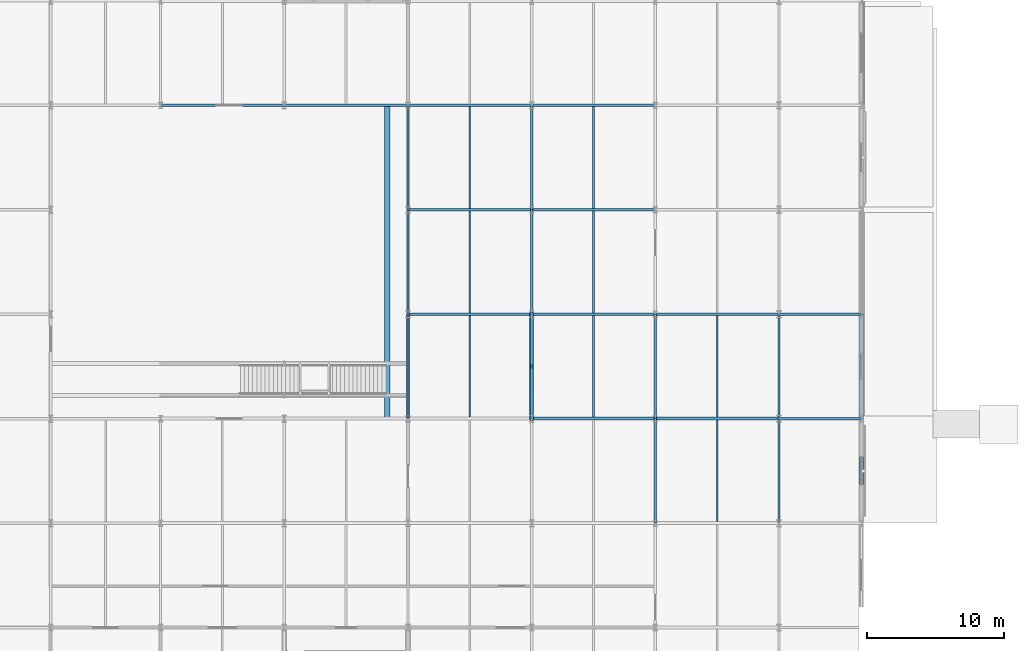
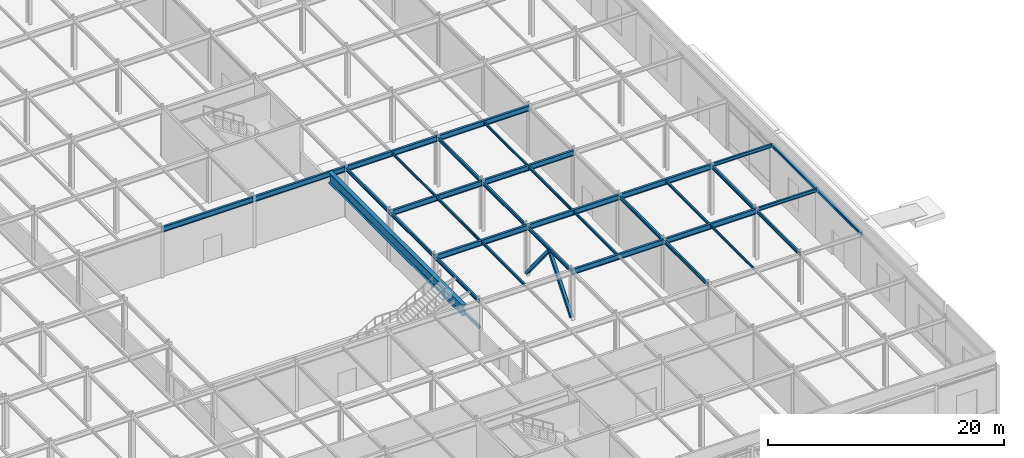
# One storey, part 47 of 89: 35 beams, 2 members.
"""IFC4 building model written with IfcOpenShell, lengths in metres."""

from ifc_helpers import new_model, si_unit, direction, frame, origin, origin_2d, place, context, subcontext, project, spatial, hollow_rectangle, i_section, extrude, material, material_profile, profile_set, type_object, element, save


model = new_model("IFC4")

# Units and contexts
model_context = context("Model", 3, precision=1e-05, world=origin(), true_north=direction((0.0, 1.0)))
body_context = subcontext(model_context, "Body", "Model", "MODEL_VIEW")
ifc_project = project(units=[si_unit("LENGTHUNIT", "METRE"), si_unit("AREAUNIT", "SQUARE_METRE"), si_unit("VOLUMEUNIT", "CUBIC_METRE"), si_unit("PLANEANGLEUNIT", "RADIAN"), si_unit("MASSUNIT", "GRAM", prefix="KILO")], contexts=[model_context])

# Site, building, storey
site_placement = place(None, origin())
site = spatial("IfcSite", under=ifc_project, at=site_placement, CompositionType="ELEMENT")
building_placement = place(site_placement, origin())
building = spatial("IfcBuilding", under=site, at=building_placement, Name="Shalkamar Park Central Library", CompositionType="ELEMENT")
storey_placement = place(building_placement, origin())
storey = spatial("IfcBuildingStorey", under=building, at=storey_placement, Name="L01", CompositionType="ELEMENT", Elevation=0.0)

# Beams
ifc_material = material(Name="Steel S355", Category="steel")
ifc_material_profile_1 = material_profile(ifc_material, i_section(OverallWidth=0.39990234375, OverallDepth=1.10009765625, WebThickness=0.01806640625, FlangeThickness=0.031982421875, FilletRadius=0.02001953125, at=origin_2d()), Name="PG 1100x400")
ifc_profile_set_1 = profile_set([ifc_material_profile_1], Name="Steel S355")
beam_type_1 = type_object("IfcBeamType", Name="Atrium Gallery Girder PG1100", PredefinedType="BEAM", material=ifc_profile_set_1)
beam_1_placement = place(storey_placement, frame((253.5, 270.39990234375, 4.590087890625), z_axis=(0.0, 1.0, 0.0), x_axis=(-1.0, 0.0, 0.0)))
element("IfcBeam", 1, at=beam_1_placement, inside=storey, type_object=beam_type_1, Name="Atrium Stair ST-A1 Arrival Trimmer", PredefinedType="BEAM", context=body_context, shape_type="SweptSolid", body=[
    extrude(i_section(OverallWidth=0.39990234375, OverallDepth=1.10009765625, WebThickness=0.01806640625, FlangeThickness=0.031982421875, FilletRadius=0.02001953125, at=origin_2d()), origin(), (0.0, 0.0, 1.0), 22.800048828125),
])
ifc_material_profile_2 = material_profile(ifc_material, i_section(OverallWidth=0.1201171875, OverallDepth=0.239990234375, WebThickness=0.006103515625, FlangeThickness=0.009765625, FilletRadius=0.014892578125, at=origin_2d()), Name="IPE 240")
ifc_profile_set_2 = profile_set([ifc_material_profile_2], Name="Steel S355")
beam_type_2 = type_object("IfcBeamType", Name="Composite Floor Joist IPE240", PredefinedType="JOIST", material=ifc_profile_set_2)
for number, where, z_axis, x_axis, name in (
    (2, (259.5, 285.702880859375, 5.02001953125), (0.0, 1.0, 0.0), (-1.0, 0.0, 0.0), "Composite Joist 18/G-1 (L01)"),
    (3, (268.5, 285.702880859375, 5.02001953125), (0.0, 1.0, 0.0), (-1.0, 0.0, 0.0), "Composite Joist 19/G-1 (L01)"),
    (4, (277.5, 262.903076171875, 5.030029296875), (0.0, 1.0, 0.0), (-1.0, 0.0, 0.0), "Composite Joist 20/D-1 (L01)"),
):
    element("IfcBeam", number, at=place(storey_placement, frame(where, z_axis=z_axis, x_axis=x_axis)), inside=storey, type_object=beam_type_2, Name=name, PredefinedType="JOIST", context=body_context, shape_type="SweptSolid", body=[
        extrude(i_section(OverallWidth=0.1201171875, OverallDepth=0.239990234375, WebThickness=0.006103515625, FlangeThickness=0.009765625, FilletRadius=0.014892578125, at=origin_2d()), origin(), (0.0, 0.0, 1.0), 7.39404296875),
    ])
ifc_material_profile_3 = material_profile(ifc_material, i_section(OverallWidth=0.135009765625, OverallDepth=0.27001953125, WebThickness=0.006591796875, FlangeThickness=0.01025390625, FilletRadius=0.014892578125, at=origin_2d()), Name="IPE 270")
ifc_profile_set_3 = profile_set([ifc_material_profile_3], Name="Steel S355")
beam_type_3 = type_object("IfcBeamType", Name="Composite Floor Joist IPE270", PredefinedType="JOIST", material=ifc_profile_set_3)
for number, where, z_axis, x_axis, name in (
    (5, (259.5, 270.5029296875, 5.0048828125), (0.0, 1.0, 0.0), (-1.0, 0.0, 0.0), "Composite Joist 18/E-1 (L01)"),
    (6, (259.5, 278.10302734375, 5.0048828125), (0.0, 1.0, 0.0), (-1.0, 0.0, 0.0), "Composite Joist 18/F-1 (L01)"),
    (7, (268.5, 270.5029296875, 5.0048828125), (0.0, 1.0, 0.0), (-1.0, 0.0, 0.0), "Composite Joist 19/E-1 (L01)"),
    (8, (268.5, 278.10302734375, 5.0048828125), (0.0, 1.0, 0.0), (-1.0, 0.0, 0.0), "Composite Joist 19/F-1 (L01)"),
    (9, (277.5, 270.5029296875, 5.014892578125), (0.0, 1.0, 0.0), (-1.0, 0.0, 0.0), "Composite Joist 20/E-1 (L01)"),
):
    element("IfcBeam", number, at=place(storey_placement, frame(where, z_axis=z_axis, x_axis=x_axis)), inside=storey, type_object=beam_type_3, Name=name, PredefinedType="JOIST", context=body_context, shape_type="SweptSolid", body=[
        extrude(i_section(OverallWidth=0.135009765625, OverallDepth=0.27001953125, WebThickness=0.006591796875, FlangeThickness=0.01025390625, FilletRadius=0.014892578125, at=origin_2d()), origin(), (0.0, 0.0, 1.0), 7.39404296875),
    ])

# Members
ifc_material_profile_4 = material_profile(ifc_material, hollow_rectangle(XDim=0.300048828125, YDim=0.300048828125, WallThickness=0.01611328125, InnerFilletRadius=0.01611328125, OuterFilletRadius=0.02392578125, at=origin_2d()), Name="SHS 300x300x16")
ifc_profile_set_4 = profile_set([ifc_material_profile_4], Name="Steel S355")
member_type = type_object("IfcMemberType", Name="Diagonal Brace SHS300", PredefinedType="BRACE", material=ifc_profile_set_4)
for number, where, z_axis, x_axis, name in (
    (10, (264.0, 270.39990234375, 0.14990234375), (0.0, 0.62952162091, 0.776982965583), (-1.0, 0.0, 0.0), "Chevron Brace PD-E Leg A (L01)"),
    (11, (264.0, 278.0, 0.14990234375), (0.0, -0.62952162091, 0.776982965583), (1.0, 0.0, 0.0), "Chevron Brace PD-E Leg B (L01)"),
):
    element("IfcMember", number, at=place(storey_placement, frame(where, z_axis=z_axis, x_axis=x_axis)), inside=storey, type_object=member_type, Name=name, PredefinedType="BRACE", context=body_context, shape_type="SweptSolid", body=[
        extrude(hollow_rectangle(XDim=0.300048828125, YDim=0.300048828125, WallThickness=0.01611328125, InnerFilletRadius=0.01611328125, OuterFilletRadius=0.02392578125, at=origin_2d()), origin(), (0.0, 0.0, 1.0), 6.036376953125),
    ])

# Beams
ifc_material_profile_5 = material_profile(ifc_material, i_section(OverallWidth=0.280029296875, OverallDepth=0.27001953125, WebThickness=0.008056640625, FlangeThickness=0.012939453125, FilletRadius=0.02392578125, at=origin_2d()), Name="HEA 280")
ifc_profile_set_5 = profile_set([ifc_material_profile_5], Name="Steel S355")
beam_type_4 = type_object("IfcBeamType", Name="Perimeter Spandrel Beam HEA280", PredefinedType="SPANDREL", material=ifc_profile_set_5)
beam_2_placement = place(storey_placement, frame((288.0, 262.800048828125, 5.014892578125), z_axis=(0.0, 1.0, 0.0), x_axis=(-1.0, 0.0, 0.0)))
element("IfcBeam", 12, at=beam_2_placement, inside=storey, type_object=beam_type_4, Name="Beam 22:D-E (L01)", PredefinedType="SPANDREL", context=body_context, shape_type="SweptSolid", body=[
    extrude(i_section(OverallWidth=0.280029296875, OverallDepth=0.27001953125, WebThickness=0.008056640625, FlangeThickness=0.012939453125, FilletRadius=0.02392578125, at=origin_2d()), origin(), (0.0, 0.0, 1.0), 7.599853515625),
])
beam_3_placement = place(storey_placement, frame((288.0, 270.39990234375, 5.014892578125), z_axis=(0.0, 1.0, 0.0), x_axis=(-1.0, 0.0, 0.0)))
element("IfcBeam", 13, at=beam_3_placement, inside=storey, type_object=beam_type_4, Name="Beam 22:E-F (L01)", PredefinedType="SPANDREL", context=body_context, shape_type="SweptSolid", body=[
    extrude(i_section(OverallWidth=0.280029296875, OverallDepth=0.27001953125, WebThickness=0.008056640625, FlangeThickness=0.012939453125, FilletRadius=0.02392578125, at=origin_2d()), origin(), (0.0, 0.0, 1.0), 7.60009765625),
])
ifc_material_profile_6 = material_profile(ifc_material, i_section(OverallWidth=0.169921875, OverallDepth=0.360107421875, WebThickness=0.008056640625, FlangeThickness=0.0126953125, FilletRadius=0.01806640625, at=origin_2d()), Name="IPE 360")
ifc_profile_set_6 = profile_set([ifc_material_profile_6], Name="Steel S355")
beam_type_5 = type_object("IfcBeamType", Name="Primary Girder IPE360", PredefinedType="BEAM", material=ifc_profile_set_6)
for number, where, z_axis, x_axis, name in (
    (14, (282.0, 270.39990234375, 4.969970703125), (1.0, 0.0, 0.0), (0.0, 1.0, 0.0), "Beam E:21-22 (L01)"),
    (15, (282.0, 278.0, 4.969970703125), (1.0, 0.0, 0.0), (0.0, 1.0, 0.0), "Beam F:21-22 (L01)"),
):
    element("IfcBeam", number, at=place(storey_placement, frame(where, z_axis=z_axis, x_axis=x_axis)), inside=storey, type_object=beam_type_5, Name=name, PredefinedType="BEAM", context=body_context, shape_type="SweptSolid", body=[
        extrude(i_section(OverallWidth=0.169921875, OverallDepth=0.360107421875, WebThickness=0.008056640625, FlangeThickness=0.0126953125, FilletRadius=0.01806640625, at=origin_2d()), origin(), (0.0, 0.0, 1.0), 6.0),
    ])
for number, where, z_axis, x_axis, name in (
    (16, (255.0, 270.39990234375, 4.9599609375), (0.0, 1.0, 0.0), (-1.0, 0.0, 0.0), "Beam 18:E-F (L01)"),
    (17, (255.0, 278.0, 4.9599609375), (0.0, 1.0, 0.0), (-1.0, 0.0, 0.0), "Beam 18:F-G (L01)"),
):
    element("IfcBeam", number, at=place(storey_placement, frame(where, z_axis=z_axis, x_axis=x_axis)), inside=storey, type_object=beam_type_5, Name=name, PredefinedType="BEAM", context=body_context, shape_type="SweptSolid", body=[
        extrude(i_section(OverallWidth=0.169921875, OverallDepth=0.360107421875, WebThickness=0.008056640625, FlangeThickness=0.0126953125, FilletRadius=0.01806640625, at=origin_2d()), origin(), (0.0, 0.0, 1.0), 7.60009765625),
    ])
beam_4_placement = place(storey_placement, frame((255.0, 285.60009765625, 4.9599609375), z_axis=(0.0, 1.0, 0.0), x_axis=(-1.0, 0.0, 0.0)))
element("IfcBeam", 18, at=beam_4_placement, inside=storey, type_object=beam_type_5, Name="Beam 18:G-H (L01)", PredefinedType="BEAM", context=body_context, shape_type="SweptSolid", body=[
    extrude(i_section(OverallWidth=0.169921875, OverallDepth=0.360107421875, WebThickness=0.008056640625, FlangeThickness=0.0126953125, FilletRadius=0.01806640625, at=origin_2d()), origin(), (0.0, 0.0, 1.0), 7.599853515625),
])
for number, where, z_axis, x_axis, name in (
    (19, (264.0, 270.39990234375, 4.9599609375), (0.0, 1.0, 0.0), (-1.0, 0.0, 0.0), "Beam 19:E-F (L01)"),
    (20, (264.0, 278.0, 4.9599609375), (0.0, 1.0, 0.0), (-1.0, 0.0, 0.0), "Beam 19:F-G (L01)"),
):
    element("IfcBeam", number, at=place(storey_placement, frame(where, z_axis=z_axis, x_axis=x_axis)), inside=storey, type_object=beam_type_5, Name=name, PredefinedType="BEAM", context=body_context, shape_type="SweptSolid", body=[
        extrude(i_section(OverallWidth=0.169921875, OverallDepth=0.360107421875, WebThickness=0.008056640625, FlangeThickness=0.0126953125, FilletRadius=0.01806640625, at=origin_2d()), origin(), (0.0, 0.0, 1.0), 7.60009765625),
    ])
for number, where, z_axis, x_axis, name in (
    (21, (264.0, 285.60009765625, 4.9599609375), (0.0, 1.0, 0.0), (-1.0, 0.0, 0.0), "Beam 19:G-H (L01)"),
    (22, (273.0, 262.800048828125, 4.9599609375), (0.0, 1.0, 0.0), (-1.0, 0.0, 0.0), "Beam 20:D-E (L01)"),
):
    element("IfcBeam", number, at=place(storey_placement, frame(where, z_axis=z_axis, x_axis=x_axis)), inside=storey, type_object=beam_type_5, Name=name, PredefinedType="BEAM", context=body_context, shape_type="SweptSolid", body=[
        extrude(i_section(OverallWidth=0.169921875, OverallDepth=0.360107421875, WebThickness=0.008056640625, FlangeThickness=0.0126953125, FilletRadius=0.01806640625, at=origin_2d()), origin(), (0.0, 0.0, 1.0), 7.599853515625),
    ])
beam_5_placement = place(storey_placement, frame((273.0, 270.39990234375, 4.9599609375), z_axis=(0.0, 1.0, 0.0), x_axis=(-1.0, 0.0, 0.0)))
element("IfcBeam", 23, at=beam_5_placement, inside=storey, type_object=beam_type_5, Name="Beam 20:E-F (L01)", PredefinedType="BEAM", context=body_context, shape_type="SweptSolid", body=[
    extrude(i_section(OverallWidth=0.169921875, OverallDepth=0.360107421875, WebThickness=0.008056640625, FlangeThickness=0.0126953125, FilletRadius=0.01806640625, at=origin_2d()), origin(), (0.0, 0.0, 1.0), 7.60009765625),
])
beam_6_placement = place(storey_placement, frame((282.0, 262.800048828125, 4.969970703125), z_axis=(0.0, 1.0, 0.0), x_axis=(-1.0, 0.0, 0.0)))
element("IfcBeam", 24, at=beam_6_placement, inside=storey, type_object=beam_type_5, Name="Beam 21:D-E (L01)", PredefinedType="BEAM", context=body_context, shape_type="SweptSolid", body=[
    extrude(i_section(OverallWidth=0.169921875, OverallDepth=0.360107421875, WebThickness=0.008056640625, FlangeThickness=0.0126953125, FilletRadius=0.01806640625, at=origin_2d()), origin(), (0.0, 0.0, 1.0), 7.599853515625),
])
beam_7_placement = place(storey_placement, frame((282.0, 270.39990234375, 4.969970703125), z_axis=(0.0, 1.0, 0.0), x_axis=(-1.0, 0.0, 0.0)))
element("IfcBeam", 25, at=beam_7_placement, inside=storey, type_object=beam_type_5, Name="Beam 21:E-F (L01)", PredefinedType="BEAM", context=body_context, shape_type="SweptSolid", body=[
    extrude(i_section(OverallWidth=0.169921875, OverallDepth=0.360107421875, WebThickness=0.008056640625, FlangeThickness=0.0126953125, FilletRadius=0.01806640625, at=origin_2d()), origin(), (0.0, 0.0, 1.0), 7.60009765625),
])
ifc_material_profile_7 = material_profile(ifc_material, i_section(OverallWidth=0.2099609375, OverallDepth=0.550048828125, WebThickness=0.010986328125, FlangeThickness=0.01708984375, FilletRadius=0.02392578125, at=origin_2d()), Name="IPE 550")
ifc_profile_set_7 = profile_set([ifc_material_profile_7], Name="Steel S355")
beam_type_6 = type_object("IfcBeamType", Name="Primary Girder IPE550", PredefinedType="BEAM", material=ifc_profile_set_7)
for number, where, z_axis, x_axis, name in (
    (26, (264.0, 270.39990234375, 4.864990234375), (1.0, 0.0, 0.0), (0.0, 1.0, 0.0), "Beam E:19-20 (L01)"),
    (27, (273.0, 270.39990234375, 4.864990234375), (1.0, 0.0, 0.0), (0.0, 1.0, 0.0), "Beam E:20-21 (L01)"),
    (28, (255.0, 278.0, 4.864990234375), (1.0, 0.0, 0.0), (0.0, 1.0, 0.0), "Beam F:18-19 (L01)"),
    (29, (264.0, 278.0, 4.864990234375), (1.0, 0.0, 0.0), (0.0, 1.0, 0.0), "Beam F:19-20 (L01)"),
    (30, (273.0, 278.0, 4.864990234375), (1.0, 0.0, 0.0), (0.0, 1.0, 0.0), "Beam F:20-21 (L01)"),
    (31, (255.0, 285.60009765625, 4.864990234375), (1.0, 0.0, 0.0), (0.0, 1.0, 0.0), "Beam G:18-19 (L01)"),
    (32, (264.0, 285.60009765625, 4.864990234375), (1.0, 0.0, 0.0), (0.0, 1.0, 0.0), "Beam G:19-20 (L01)"),
    (33, (237.0, 293.199951171875, 4.864990234375), (1.0, 0.0, 0.0), (0.0, 1.0, 0.0), "Beam H:16-17 (L01)"),
    (34, (246.0, 293.199951171875, 4.864990234375), (1.0, 0.0, 0.0), (0.0, 1.0, 0.0), "Beam H:17-18 (L01)"),
    (35, (255.0, 293.199951171875, 4.864990234375), (1.0, 0.0, 0.0), (0.0, 1.0, 0.0), "Beam H:18-19 (L01)"),
    (36, (264.0, 293.199951171875, 4.864990234375), (1.0, 0.0, 0.0), (0.0, 1.0, 0.0), "Beam H:19-20 (L01)"),
):
    element("IfcBeam", number, at=place(storey_placement, frame(where, z_axis=z_axis, x_axis=x_axis)), inside=storey, type_object=beam_type_6, Name=name, PredefinedType="BEAM", context=body_context, shape_type="SweptSolid", body=[
        extrude(i_section(OverallWidth=0.2099609375, OverallDepth=0.550048828125, WebThickness=0.010986328125, FlangeThickness=0.01708984375, FilletRadius=0.02392578125, at=origin_2d()), origin(), (0.0, 0.0, 1.0), 9.0),
    ])
ifc_material_profile_8 = material_profile(ifc_material, hollow_rectangle(XDim=0.199951171875, YDim=0.300048828125, WallThickness=0.011962890625, InnerFilletRadius=0.011962890625, OuterFilletRadius=0.01806640625, at=origin_2d()), Name="RHS 300x200x12")
ifc_profile_set_8 = profile_set([ifc_material_profile_8], Name="Steel S355")
beam_type_7 = type_object("IfcBeamType", Name="Stair Trimmer Box RHS300x200", PredefinedType="BEAM", material=ifc_profile_set_8)
beam_8_placement = place(storey_placement, frame((255.0, 270.39990234375, 2.27001953125), z_axis=(0.0, 1.0, 0.0), x_axis=(-1.0, 0.0, 0.0)))
element("IfcBeam", 37, at=beam_8_placement, inside=storey, type_object=beam_type_7, Name="Atrium Stair ST-A1 End Header E", PredefinedType="BEAM", context=body_context, shape_type="SweptSolid", body=[
    extrude(hollow_rectangle(XDim=0.199951171875, YDim=0.300048828125, WallThickness=0.011962890625, InnerFilletRadius=0.011962890625, OuterFilletRadius=0.01806640625, at=origin_2d()), origin(), (0.0, 0.0, 1.0), 7.60009765625),
])

save(model, "model.ifc")
